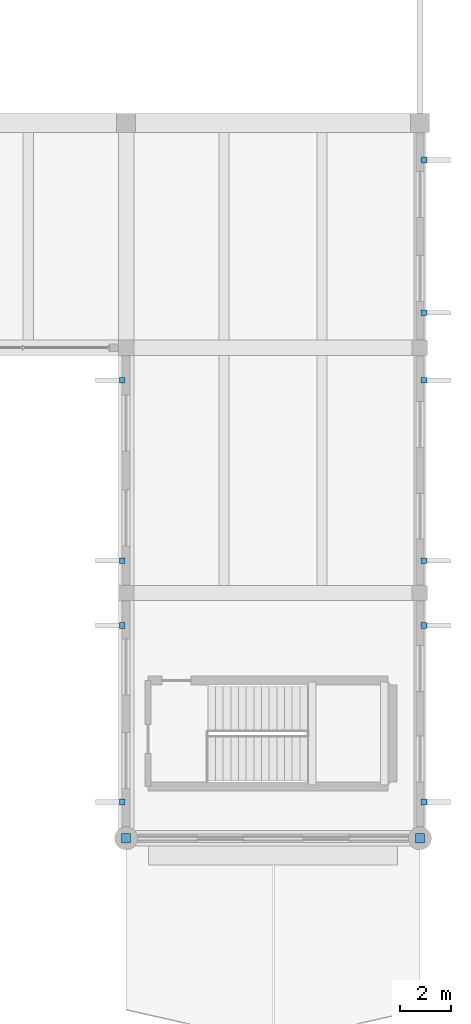
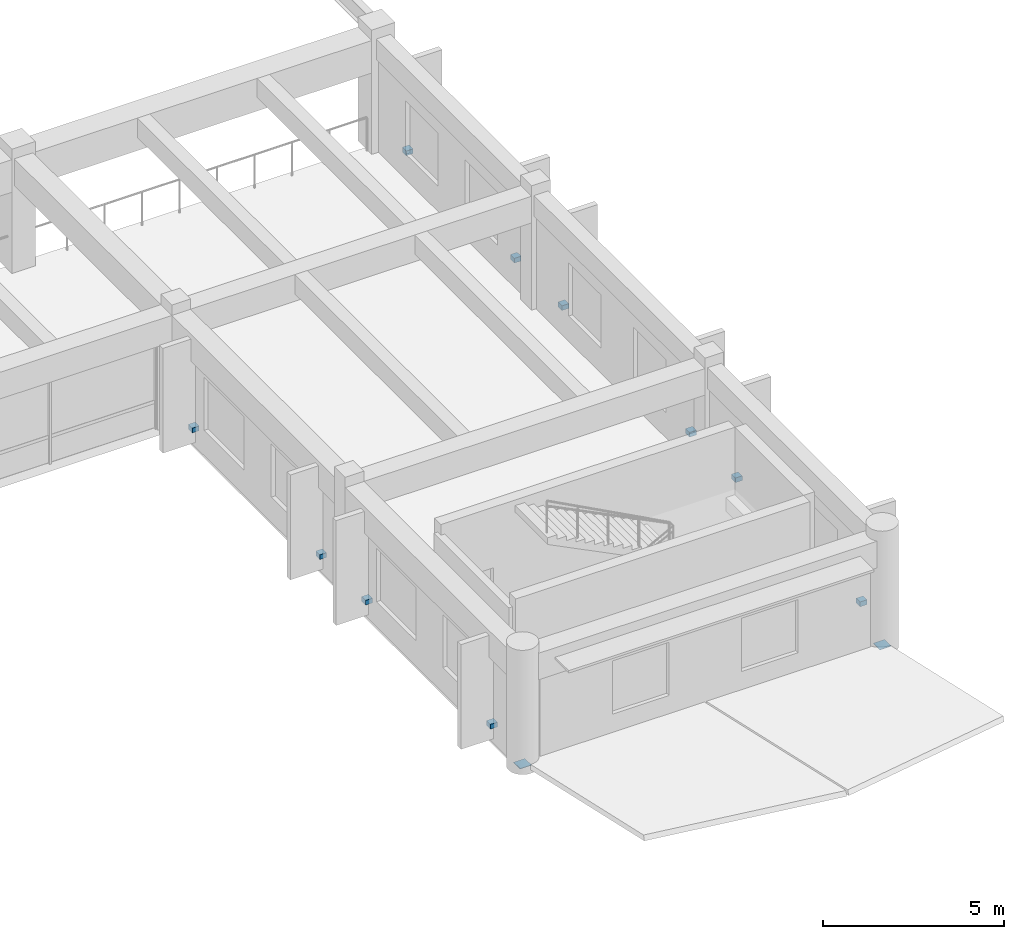
# One storey, part 87 of 98: 12 discrete accessories.
"""IFC4 building model written with IfcOpenShell, lengths in metres."""

from ifc_helpers import new_model, si_unit, direction, frame, origin, origin_2d, place, context, subcontext, project, spatial, rectangle, extrude, material, type_object, element, save


model = new_model("IFC4")

# Units and contexts
model_context = context("Model", 3, precision=1e-05, world=origin(), true_north=direction((0.0, 1.0)))
body_context = subcontext(model_context, "Body", "Model", "MODEL_VIEW")
ifc_project = project(units=[si_unit("LENGTHUNIT", "METRE"), si_unit("AREAUNIT", "SQUARE_METRE"), si_unit("VOLUMEUNIT", "CUBIC_METRE"), si_unit("PLANEANGLEUNIT", "RADIAN"), si_unit("MASSUNIT", "GRAM", prefix="KILO")], contexts=[model_context])

# Site, building, storey
site_placement = place(None, origin())
site = spatial("IfcSite", under=ifc_project, at=site_placement, CompositionType="ELEMENT")
building_placement = place(site_placement, origin())
building = spatial("IfcBuilding", under=site, at=building_placement, Name="Ologun Quay Terminus", CompositionType="ELEMENT")
storey_placement = place(building_placement, frame((0.0, 0.0, 4.199951171875)))
storey = spatial("IfcBuildingStorey", under=building, at=storey_placement, Name="L01", CompositionType="ELEMENT", Elevation=4.199951171875)

# Discrete accessories
ifc_material_1 = material(Name="Steel S355", Category="steel")
discrete_accessory_type_1 = type_object("IfcDiscreteAccessoryType", Name="Brace & Strut End Gusset Connection Plate 360x360x20", PredefinedType="BRACKET", material=ifc_material_1)
for number, where, z_axis, x_axis, name in (
    (1, (172.5, 8.0, 0.0400390625), (0.0, 0.0, 1.0), (1.0, 0.0, 0.0), "GUS-END Canopy Tie Gusset S-16-W"),
    (2, (184.0, 8.0, 0.0400390625), (0.0, 0.0, 1.0), (1.0, 0.0, 0.0), "GUS-END Canopy Tie Gusset S-16-E"),
):
    element("IfcDiscreteAccessory", number, at=place(storey_placement, frame(where, z_axis=z_axis, x_axis=x_axis)), inside=storey, type_object=discrete_accessory_type_1, Name=name, PredefinedType="BRACKET", context=body_context, shape_type="SweptSolid", body=[
        extrude(rectangle(XDim=0.360107421875, YDim=0.360107421875, at=origin_2d()), origin(), (0.0, 0.0, 1.0), 0.02001953125),
    ])
ifc_material_2 = material(Name="Steel S355", Category="steel")
discrete_accessory_type_2 = type_object("IfcDiscreteAccessoryType", Name="Solar Fin Stainless Support Bracket", PredefinedType="BRACKET", material=ifc_material_2)
for number, where, z_axis, x_axis, name in (
    (3, (172.340087890625, 9.419921875, 0.52001953125), (0.0, 0.0, 1.0), (1.0, 0.0, 0.0), "BRK-01 Solar Fin Bracket WEW-SA-L01-3-5-1"),
    (4, (172.340087890625, 16.330078125, 0.52001953125), (0.0, 0.0, 1.0), (1.0, 0.0, 0.0), "BRK-01 Solar Fin Bracket WEW-SA-L01-3-5-2"),
    (5, (172.340087890625, 18.8701171875, 0.52001953125), (0.0, 0.0, 1.0), (1.0, 0.0, 0.0), "BRK-01 Solar Fin Bracket WEW-SA-L01-3-6-1"),
    (6, (172.340087890625, 25.929931640625, 0.52001953125), (0.0, 0.0, 1.0), (1.0, 0.0, 0.0), "BRK-01 Solar Fin Bracket WEW-SA-L01-3-6-2"),
    (7, (184.159912109375, 9.419921875, 0.52001953125), (0.0, 0.0, 1.0), (1.0, 0.0, 0.0), "BRK-01 Solar Fin Bracket WEW-SA-L01-3-8-1"),
    (8, (184.159912109375, 16.330078125, 0.52001953125), (0.0, 0.0, 1.0), (1.0, 0.0, 0.0), "BRK-01 Solar Fin Bracket WEW-SA-L01-3-8-2"),
    (9, (184.159912109375, 18.8701171875, 0.52001953125), (0.0, 0.0, 1.0), (1.0, 0.0, 0.0), "BRK-01 Solar Fin Bracket WEW-SA-L01-3-9-1"),
    (10, (184.159912109375, 25.929931640625, 0.52001953125), (0.0, 0.0, 1.0), (1.0, 0.0, 0.0), "BRK-01 Solar Fin Bracket WEW-SA-L01-3-9-2"),
    (11, (184.159912109375, 28.570068359375, 0.52001953125), (0.0, 0.0, 1.0), (1.0, 0.0, 0.0), "BRK-01 Solar Fin Bracket WEW-SA-L01-3-10-1"),
    (12, (184.159912109375, 34.554931640625, 0.52001953125), (0.0, 0.0, 1.0), (1.0, 0.0, 0.0), "BRK-01 Solar Fin Bracket WEW-SA-L01-3-10-2"),
):
    element("IfcDiscreteAccessory", number, at=place(storey_placement, frame(where, z_axis=z_axis, x_axis=x_axis)), inside=storey, type_object=discrete_accessory_type_2, Name=name, PredefinedType="BRACKET", context=body_context, shape_type="SweptSolid", body=[
        extrude(rectangle(XDim=0.219970703125, YDim=0.219970703125, at=origin_2d()), origin(), (0.0, 0.0, 1.0), 0.159912109375),
    ])

save(model, "model.ifc")
